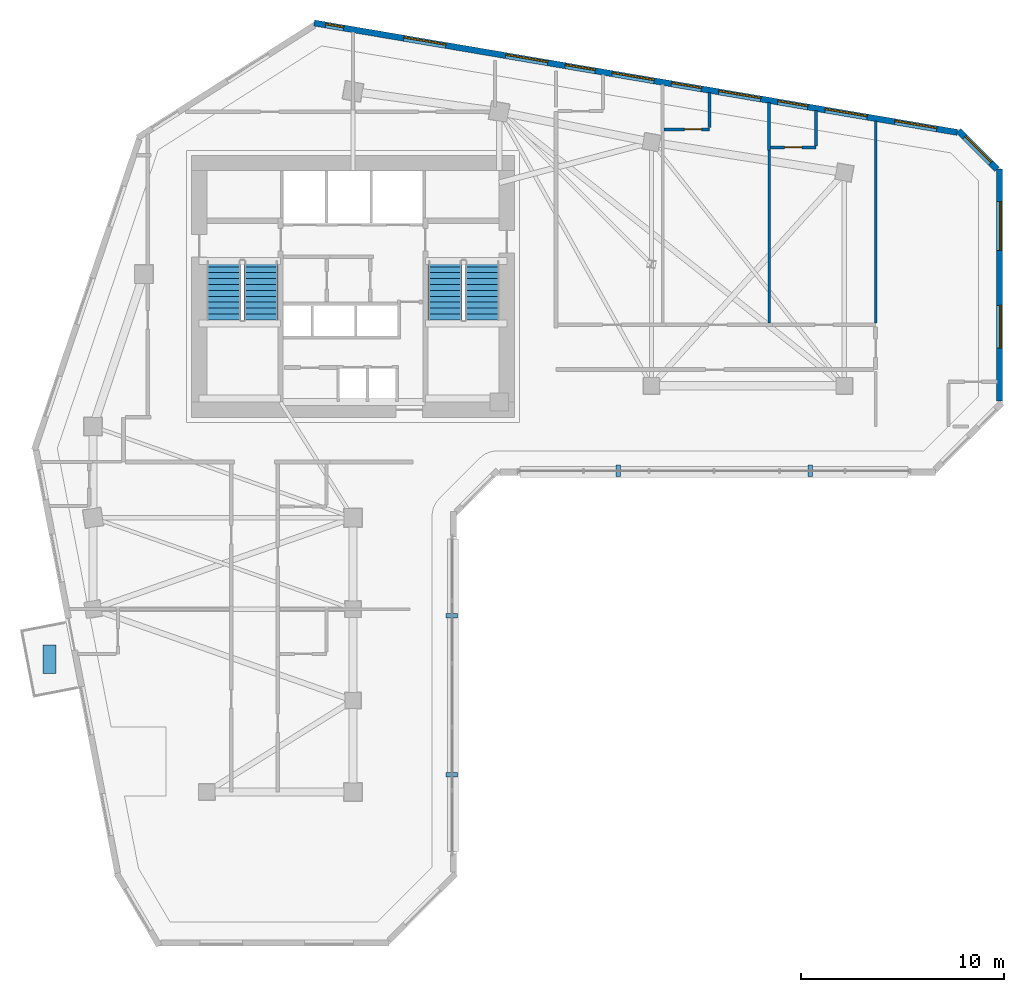
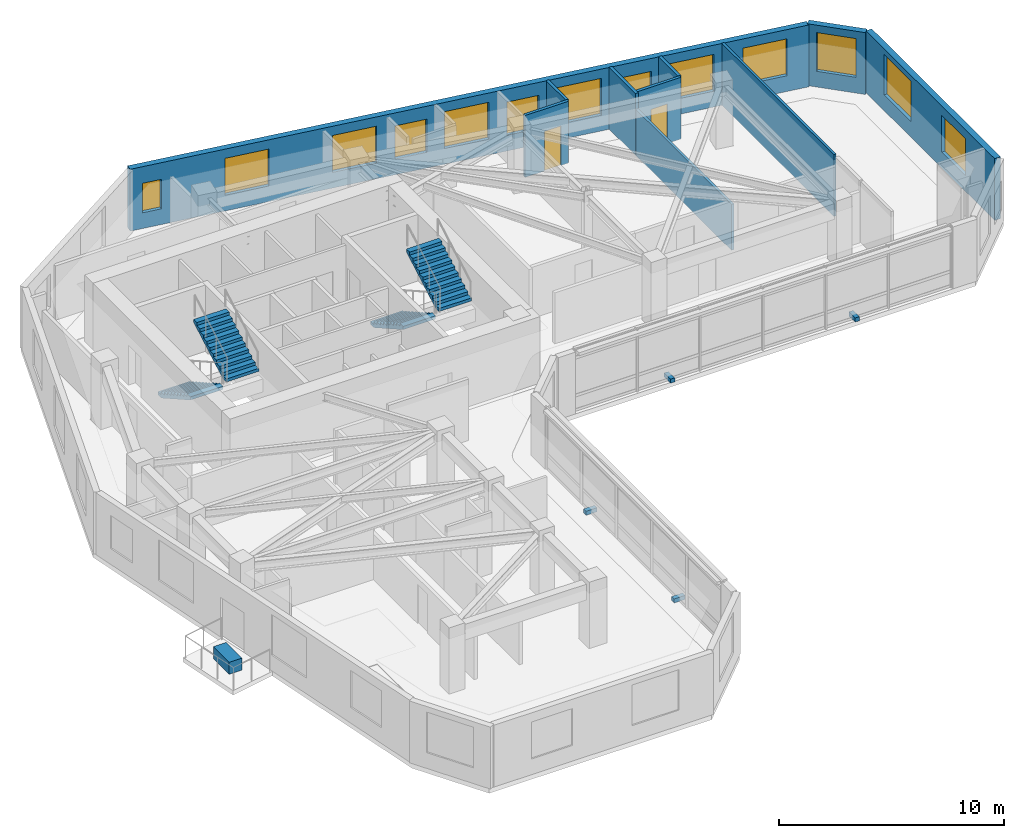
# One storey, part 8 of 11: 13 windows, 10 walls, 5 discrete accessories, 4 stair flights, 2 doors, 15 openings, 2 elements without a shape of their own.
"""IFC4 building model written with IfcOpenShell, lengths in metres."""

import ifcopenshell
import ifcopenshell.guid

model = None  # the IFC model being written
_history = None  # IfcOwnerHistory: only IFC2X3 demands one
_inside = {}  # id of a spatial element -> (the spatial element, [elements in it])
_under = {}  # id of a project, library or spatial element -> (it, [spatial elements below it])
_declared = {}  # id of a project -> (the project, [libraries it declares])
_typed = {}  # id of a type object -> (the type object, [elements of that type])
_made_of = {}  # id of a material, layer set ... -> (it, [elements and type objects made of it])


def new_model(schema):
    """Start an empty IFC model of exactly this schema.

    Asked for "IFC4X3", IfcOpenShell would pick the latest addendum, in which some entities
    have other attributes; the version numbers below select the first issue.
    IFC2X3 requires an IfcOwnerHistory on every rooted entity: one is made here for all.
    """
    global model, _history
    if schema == "IFC4X3":
        model = ifcopenshell.file(schema_version=(4, 3, 0, 0))
    else:
        model = ifcopenshell.file(schema=schema)
    _inside.clear()
    _under.clear()
    _declared.clear()
    _typed.clear()
    _made_of.clear()
    _history = None
    if model.schema == "IFC2X3":
        org = make("IfcOrganization", Name="unknown")
        user = make(
            "IfcPersonAndOrganization",
            ThePerson=make("IfcPerson", FamilyName="unknown"),
            TheOrganization=org,
        )
        app = make(
            "IfcApplication",
            ApplicationDeveloper=org,
            Version="unknown",
            ApplicationFullName="unknown",
            ApplicationIdentifier="unknown",
        )
        _history = make(
            "IfcOwnerHistory",
            OwningUser=user,
            OwningApplication=app,
            ChangeAction="ADDED",
            CreationDate=0,
        )
    return model


def make(cls, **values):
    """One entity of the class cls with the attributes given. An attribute that is None is left unset."""
    return model.create_entity(
        cls, **{name: value for name, value in values.items() if value is not None}
    )


def rooted(cls, **values):
    """An entity with a GlobalId (a new one), such as an element, a storey or a relation."""
    return make(cls, GlobalId=ifcopenshell.guid.new(), OwnerHistory=_history, **values)


def si_unit(unit_type, name, prefix=None):
    """IfcSIUnit, for example si_unit("LENGTHUNIT", "METRE", prefix="MILLI")."""
    return make("IfcSIUnit", UnitType=unit_type, Prefix=prefix, Name=name)


def assignment(units):
    """IfcUnitAssignment: the units of a project."""
    return None if units is None else make("IfcUnitAssignment", Units=units)


def point(xyz):
    """IfcCartesianPoint."""
    return None if xyz is None else make("IfcCartesianPoint", Coordinates=xyz)


def direction(xyz):
    """IfcDirection."""
    return None if xyz is None else make("IfcDirection", DirectionRatios=xyz)


def frame(location, z_axis=None, x_axis=None):
    """IfcAxis2Placement3D, a coordinate frame: its origin and axes. An axis left out is left unset."""
    return make(
        "IfcAxis2Placement3D",
        Location=point(location),
        Axis=direction(z_axis),
        RefDirection=direction(x_axis),
    )


def frame_2d(location, x_axis=None):
    """IfcAxis2Placement2D, a coordinate frame in the plane: its origin and x axis."""
    return make(
        "IfcAxis2Placement2D", Location=point(location), RefDirection=direction(x_axis)
    )


def origin():
    """The frame at (0, 0, 0) with its axes left unset."""
    return frame((0.0, 0.0, 0.0))


def origin_2d():
    """The frame at (0, 0) in the plane with its x axis left unset."""
    return frame_2d((0.0, 0.0))


def place(relative_to, where):
    """IfcLocalPlacement: puts the frame where relative to a parent placement (None: the world)."""
    return make(
        "IfcLocalPlacement", PlacementRelTo=relative_to, RelativePlacement=where
    )


def context(
    kind, dimensions, precision=None, world=None, true_north=None, identifier=None
):
    """IfcGeometricRepresentationContext, for example the 3D "Model" context."""
    return make(
        "IfcGeometricRepresentationContext",
        ContextIdentifier=identifier,
        ContextType=kind,
        CoordinateSpaceDimension=dimensions,
        Precision=precision,
        WorldCoordinateSystem=world,
        TrueNorth=true_north,
    )


def subcontext(parent, identifier, kind, view, scale=None):
    """IfcGeometricRepresentationSubContext, for example "Body" below "Model"."""
    return make(
        "IfcGeometricRepresentationSubContext",
        ContextIdentifier=identifier,
        ContextType=kind,
        ParentContext=parent,
        TargetScale=scale,
        TargetView=view,
    )


def project(units=None, contexts=None):
    """IfcProject with its units and contexts."""
    return rooted(
        "IfcProject",
        Name="project",
        RepresentationContexts=contexts,
        UnitsInContext=assignment(units),
    )


def spatial(cls, under=None, at=None, **own):
    """A site, building, storey or space (cls), placed at a placement, below another one or the project."""
    s = rooted(cls, ObjectPlacement=at, **own)
    if under is not None:
        _under.setdefault(under.id(), (under, []))[1].append(s)
    return s


def polyline(points):
    """IfcPolyline through the points."""
    return make("IfcPolyline", Points=[point(p) for p in points])


def profile(cls, at=None, kind="AREA", **sizes):
    """A parametric profile (cls). Its sizes go by their IFC names, for example OverallWidth=200.0."""
    return make(cls, ProfileType=kind, Position=at, **sizes)


def rectangle(**sizes):
    """IfcRectangleProfileDef."""
    return profile("IfcRectangleProfileDef", **sizes)


def outline(outer, holes=None, kind="AREA"):
    """IfcArbitraryClosedProfileDef: a profile drawn as a closed curve; with holes, ...WithVoids."""
    if holes is None:
        return make("IfcArbitraryClosedProfileDef", ProfileType=kind, OuterCurve=outer)
    return make(
        "IfcArbitraryProfileDefWithVoids",
        ProfileType=kind,
        OuterCurve=outer,
        InnerCurves=holes,
    )


def extrude(swept, where, along, depth):
    """IfcExtrudedAreaSolid: the profile swept, set in the frame where, extruded along a direction by depth."""
    return make(
        "IfcExtrudedAreaSolid",
        SweptArea=swept,
        Position=where,
        ExtrudedDirection=direction(along),
        Depth=depth,
    )


def shape(context_of_items, identifier, shape_type, items):
    """IfcShapeRepresentation: the items that make up one representation, for example the "Body"."""
    return make(
        "IfcShapeRepresentation",
        ContextOfItems=context_of_items,
        RepresentationIdentifier=identifier,
        RepresentationType=shape_type,
        Items=items,
    )


def source(mapping_origin, context_of_items, identifier, shape_type, items):
    """IfcRepresentationMap: a shape defined once, which mapped items show again and again."""
    return make(
        "IfcRepresentationMap",
        MappingOrigin=mapping_origin,
        MappedRepresentation=shape(context_of_items, identifier, shape_type, items),
    )


def transform(
    local_origin,
    x_axis=None,
    y_axis=None,
    z_axis=None,
    scale=None,
    scale2=None,
    scale3=None,
    uniform=True,
):
    """IfcCartesianTransformationOperator3D, or its non-uniform kind. x_axis, y_axis, z_axis: its Axis1, 2, 3."""
    if uniform:
        return make(
            "IfcCartesianTransformationOperator3D",
            Axis1=direction(x_axis),
            Axis2=direction(y_axis),
            LocalOrigin=point(local_origin),
            Scale=scale,
            Axis3=direction(z_axis),
        )
    return make(
        "IfcCartesianTransformationOperator3DnonUniform",
        Axis1=direction(x_axis),
        Axis2=direction(y_axis),
        LocalOrigin=point(local_origin),
        Scale=scale,
        Axis3=direction(z_axis),
        Scale2=scale2,
        Scale3=scale3,
    )


def mapped(mapping_source, mapping_target):
    """IfcMappedItem: shows the shape of a source again, moved by a transform."""
    return make(
        "IfcMappedItem", MappingSource=mapping_source, MappingTarget=mapping_target
    )


def material(Name=None, Category=None):
    """IfcMaterial."""
    return make("IfcMaterial", Name=Name, Category=Category)


def layer(
    of_material, thickness, ventilated=None, Name=None, Category=None, Priority=None
):
    """IfcMaterialLayer: one layer of a wall or slab, of a material (None: an air gap)."""
    return make(
        "IfcMaterialLayer",
        Material=of_material,
        LayerThickness=thickness,
        IsVentilated=ventilated,
        Name=Name,
        Category=Category,
        Priority=Priority,
    )


def layer_set(layers, Name=None):
    """IfcMaterialLayerSet."""
    return make("IfcMaterialLayerSet", MaterialLayers=layers, LayerSetName=Name)


def made_of(thing, what):
    """Note that an element or type object is made of a material, layer set ...; save() writes the relation."""
    if what is not None:
        _made_of.setdefault(what.id(), (what, []))[1].append(thing)
    return thing


def type_object(cls, material=None, **own):
    """A type object (cls), such as IfcWallType, which elements share."""
    return made_of(rooted(cls, **own), material)


def element(
    cls,
    number,
    at=None,
    inside=None,
    cuts=None,
    type_object=None,
    material=None,
    context=None,
    identifier="Body",
    shape_type=None,
    held_by="IfcProductDefinitionShape",
    body=None,
    shapes=None,
    **own,
):
    """One element of the class cls, such as IfcWall. Its Tag is "e" and its number.

    at: its placement. inside: the storey or other place that contains it. cuts: it is an
    opening in that element (IfcRelVoidsElement). A single representation is given by context,
    identifier, shape_type and body (its items); several are given by shapes. held_by: the class
    of the entity that holds the representations. save() writes the other relations.
    """
    e = rooted(cls, Tag="e%d" % number, ObjectPlacement=at, **own)
    if body is not None:
        shapes = [shape(context, identifier, shape_type, body)]
    if shapes is not None:
        e.Representation = make(held_by, Representations=shapes)
    if inside is not None:
        _inside.setdefault(inside.id(), (inside, []))[1].append(e)
    if cuts is not None:
        rooted(
            "IfcRelVoidsElement", RelatingBuildingElement=cuts, RelatedOpeningElement=e
        )
    if type_object is not None:
        _typed.setdefault(type_object.id(), (type_object, []))[1].append(e)
    return made_of(e, material)


def fill(opening, filler):
    """IfcRelFillsElement: the door or window that sits in an opening."""
    return rooted(
        "IfcRelFillsElement",
        RelatingOpeningElement=opening,
        RelatedBuildingElement=filler,
    )


def aggregate(whole, parts):
    """IfcRelAggregates: a whole, such as a stair, and the parts it consists of."""
    return rooted("IfcRelAggregates", RelatingObject=whole, RelatedObjects=parts)


def save(model, path):
    """Write the relations noted so far, then the file.

    IfcRelAggregates (storeys below a building ...), IfcRelContainedInSpatialStructure (elements
    in a storey), IfcRelDefinesByType, IfcRelAssociatesMaterial and IfcRelDeclares: one each for
    every whole, place, type object, material and project.
    """
    for whole, parts in _under.values():
        aggregate(whole, parts)
    for where, things in _inside.values():
        rooted(
            "IfcRelContainedInSpatialStructure",
            RelatedElements=things,
            RelatingStructure=where,
        )
    for kind, things in _typed.values():
        rooted("IfcRelDefinesByType", RelatedObjects=things, RelatingType=kind)
    for what, things in _made_of.values():
        rooted("IfcRelAssociatesMaterial", RelatedObjects=things, RelatingMaterial=what)
    for by, libraries in _declared.values():
        rooted("IfcRelDeclares", RelatingContext=by, RelatedDefinitions=libraries)
    model.write(path)


model = new_model("IFC4")

# Units and contexts
model_context = context("Model", 3, precision=1e-05, world=origin(), true_north=direction((0.0, 1.0)))
body_context = subcontext(model_context, "Body", "Model", "MODEL_VIEW")
ifc_project = project(units=[si_unit("LENGTHUNIT", "METRE"), si_unit("AREAUNIT", "SQUARE_METRE"), si_unit("VOLUMEUNIT", "CUBIC_METRE"), si_unit("PLANEANGLEUNIT", "RADIAN"), si_unit("MASSUNIT", "GRAM", prefix="KILO")], contexts=[model_context])

# Site, building, storey
site_placement = place(None, origin())
site = spatial("IfcSite", under=ifc_project, at=site_placement, CompositionType="ELEMENT")
building_placement = place(site_placement, origin())
building = spatial("IfcBuilding", under=site, at=building_placement, Name="Calvemar Wedge Station Tower", CompositionType="ELEMENT")
storey_placement = place(building_placement, frame((0.0, 0.0, 114.199951171875)))
storey = spatial("IfcBuildingStorey", under=building, at=storey_placement, Name="L27", CompositionType="ELEMENT", Elevation=114.199951171875)

# Wall, openings, windows
ifc_material_1 = material(Name="Precast concrete C45", Category="concrete")
ifc_layer_1 = layer(ifc_material_1, 0.300048828125)
ifc_layer_set_1 = layer_set([ifc_layer_1], Name="Precast concrete C45")
wall_type_1 = type_object("IfcWallType", Name="W-EXT-GFRC-300", PredefinedType="SOLIDWALL", material=ifc_layer_set_1)
wall_1_placement = place(storey_placement, frame((55.64990234375, 34.249267578125, 0.0), z_axis=(0.0, 0.0, 1.0), x_axis=(0.0, 1.0, 0.0)))
wall_1 = element("IfcWall", 1, at=wall_1_placement, inside=storey, type_object=wall_type_1, Name="Storey L27 Bronze GFRC Exterior Wall 8", PredefinedType="SOLIDWALL", context=body_context, shape_type="SweptSolid", body=[
    extrude(rectangle(XDim=11.4306640625, YDim=0.300048828125, at=frame_2d((5.71533203125, 0.0))), origin(), (0.0, 0.0, 1.0), 3.35009765625),
])
shared_shape_1 = source(origin(), body_context, "Body", "SweptSolid", [
    extrude(rectangle(XDim=2.10009765625, YDim=2.0, at=frame_2d((1.050048828125, 1.0))), frame((0.0, 0.16015625, 0.0), z_axis=(0.0, -1.0, 0.0), x_axis=(1.0, 0.0, 0.0)), (0.0, 0.0, 1.0), 0.320068359375),
])
opening_1_placement = place(wall_1_placement, frame((2.60595703125, 0.0, 0.85009765625)))
opening_1 = element("IfcOpeningElement", 2, at=opening_1_placement, cuts=wall_1, Name="Opening W4", PredefinedType="OPENING", context=body_context, shape_type="MappedRepresentation", body=[
    mapped(shared_shape_1, transform((0.0, 0.0, 0.0), scale=1.0)),
])
shared_shape_2 = source(origin(), body_context, "Body", "SweptSolid", [
    extrude(rectangle(XDim=2.39990234375, YDim=2.199951171875, at=frame_2d((1.199951171875, 1.10009765625))), frame((0.0, 0.16015625, 0.0), z_axis=(0.0, -1.0, 0.0), x_axis=(1.0, 0.0, 0.0)), (0.0, 0.0, 1.0), 0.320068359375),
])
opening_2_placement = place(wall_1_placement, frame((7.426025390625, 0.0, 0.85009765625)))
opening_2 = element("IfcOpeningElement", 3, at=opening_2_placement, cuts=wall_1, Name="Opening W1", PredefinedType="OPENING", context=body_context, shape_type="MappedRepresentation", body=[
    mapped(shared_shape_2, transform((0.0, 0.0, 0.0), scale=1.0)),
])
ifc_material_2 = material(Name="Low-E laminated insulated glass", Category="glass")
window_type_1 = type_object("IfcWindowType", Name="WIN-EXT-4", PartitioningType="SINGLE_PANEL", PredefinedType="WINDOW", material=ifc_material_2)
shared_shape_3 = source(origin(), body_context, "Body", "SweptSolid", [
    extrude(rectangle(XDim=2.10009765625, YDim=2.0, at=frame_2d((1.050048828125, 1.0))), frame((0.0, -0.014892578125, 0.0), z_axis=(0.0, -1.0, 0.0), x_axis=(1.0, 0.0, 0.0)), (0.0, 0.0, 1.0), 0.06005859375),
])
window_1_placement = place(opening_1_placement, origin())
window_1 = element("IfcWindow", 4, at=window_1_placement, inside=storey, type_object=window_type_1, Name="Storey L27 Recessed Window 8.1", OverallHeight=2.0, OverallWidth=2.10009765625, PartitioningType="SINGLE_PANEL", PredefinedType="WINDOW", context=body_context, shape_type="MappedRepresentation", body=[
    mapped(shared_shape_3, transform((0.0, 0.0, 0.0), scale=1.0)),
])
fill(opening_1, window_1)
window_type_2 = type_object("IfcWindowType", Name="WIN-EXT-1", PartitioningType="SINGLE_PANEL", PredefinedType="WINDOW", material=ifc_material_2)
shared_shape_4 = source(origin(), body_context, "Body", "SweptSolid", [
    extrude(rectangle(XDim=2.39990234375, YDim=2.199951171875, at=frame_2d((1.199951171875, 1.10009765625))), frame((0.0, -0.014892578125, 0.0), z_axis=(0.0, -1.0, 0.0), x_axis=(1.0, 0.0, 0.0)), (0.0, 0.0, 1.0), 0.06005859375),
])
window_2_placement = place(opening_2_placement, origin())
window_2 = element("IfcWindow", 5, at=window_2_placement, inside=storey, type_object=window_type_2, Name="Storey L27 Recessed Window 8.2", OverallHeight=2.199951171875, OverallWidth=2.39990234375, PartitioningType="SINGLE_PANEL", PredefinedType="WINDOW", context=body_context, shape_type="MappedRepresentation", body=[
    mapped(shared_shape_4, transform((0.0, 0.0, 0.0), scale=1.0)),
])
fill(opening_2, window_2)

# Wall, opening, window
wall_2_placement = place(storey_placement, frame((55.511962890625, 45.66796875, 0.0), z_axis=(0.0, 0.0, 1.0), x_axis=(-0.707152443695, 0.707061115729, 0.0)))
wall_2 = element("IfcWall", 6, at=wall_2_placement, inside=storey, type_object=wall_type_1, Name="Storey L27 Bronze GFRC Exterior Wall 9", PredefinedType="SOLIDWALL", context=body_context, shape_type="SweptSolid", body=[
    extrude(rectangle(XDim=2.67333984375, YDim=0.300048828125, at=frame_2d((1.336669921875, 0.0))), origin(), (0.0, 0.0, 1.0), 3.35009765625),
])
shared_shape_5 = source(origin(), body_context, "Body", "SweptSolid", [
    extrude(rectangle(XDim=1.800048828125, YDim=2.10009765625, at=frame_2d((0.89990234375, 1.050048828125))), frame((0.0, 0.16015625, 0.0), z_axis=(0.0, -1.0, 0.0), x_axis=(1.0, 0.0, 0.0)), (0.0, 0.0, 1.0), 0.320068359375),
])
opening_3_placement = place(wall_2_placement, frame((0.43701171875, 0.0, 0.85009765625)))
opening_3 = element("IfcOpeningElement", 7, at=opening_3_placement, cuts=wall_2, Name="Opening W2", PredefinedType="OPENING", context=body_context, shape_type="MappedRepresentation", body=[
    mapped(shared_shape_5, transform((0.0, 0.0, 0.0), scale=1.0)),
])
window_type_3 = type_object("IfcWindowType", Name="WIN-EXT-2", PartitioningType="SINGLE_PANEL", PredefinedType="WINDOW", material=ifc_material_2)
shared_shape_6 = source(origin(), body_context, "Body", "SweptSolid", [
    extrude(rectangle(XDim=1.800048828125, YDim=2.10009765625, at=frame_2d((0.89990234375, 1.050048828125))), frame((0.0, -0.014892578125, 0.0), z_axis=(0.0, -1.0, 0.0), x_axis=(1.0, 0.0, 0.0)), (0.0, 0.0, 1.0), 0.06005859375),
])
window_3_placement = place(opening_3_placement, origin())
window_3 = element("IfcWindow", 8, at=window_3_placement, inside=storey, type_object=window_type_3, Name="Storey L27 Recessed Window 9.1", OverallHeight=2.10009765625, OverallWidth=1.800048828125, PartitioningType="SINGLE_PANEL", PredefinedType="WINDOW", context=body_context, shape_type="MappedRepresentation", body=[
    mapped(shared_shape_6, transform((0.0, 0.0, 0.0), scale=1.0)),
])
fill(opening_3, window_3)

# Wall, openings, windows
wall_3_placement = place(storey_placement, frame((53.56103515625, 47.48046875, 0.0), z_axis=(0.0, 0.0, 1.0), x_axis=(-0.985845173895, 0.167658262868, 0.0)))
wall_3 = element("IfcWall", 9, at=wall_3_placement, inside=storey, type_object=wall_type_1, Name="Storey L27 Bronze GFRC Exterior Wall 10", PredefinedType="SOLIDWALL", context=body_context, shape_type="SweptSolid", body=[
    extrude(rectangle(XDim=32.132080078125, YDim=0.300048828125, at=frame_2d((16.06591796875, 0.0))), origin(), (0.0, 0.0, 1.0), 3.35009765625),
])
opening_4_placement = place(wall_3_placement, frame((1.031982421875, 0.0, 0.85009765625)))
opening_4 = element("IfcOpeningElement", 10, at=opening_4_placement, cuts=wall_3, Name="Opening W4", PredefinedType="OPENING", context=body_context, shape_type="MappedRepresentation", body=[
    mapped(shared_shape_1, transform((0.0, 0.0, 0.0), scale=1.0)),
])
opening_5_placement = place(wall_3_placement, frame((4.50390625, 0.0, 0.85009765625)))
opening_5 = element("IfcOpeningElement", 11, at=opening_5_placement, cuts=wall_3, Name="Opening W4", PredefinedType="OPENING", context=body_context, shape_type="MappedRepresentation", body=[
    mapped(shared_shape_1, transform((0.0, 0.0, 0.0), scale=1.0)),
])
shared_shape_7 = source(origin(), body_context, "Body", "SweptSolid", [
    extrude(rectangle(XDim=1.5, YDim=1.800048828125, at=frame_2d((0.75, 0.89990234375))), frame((0.0, 0.16015625, 0.0), z_axis=(0.0, -1.0, 0.0), x_axis=(1.0, 0.0, 0.0)), (0.0, 0.0, 1.0), 0.320068359375),
])
opening_6_placement = place(wall_3_placement, frame((7.464111328125, 0.0, 0.85009765625)))
opening_6 = element("IfcOpeningElement", 12, at=opening_6_placement, cuts=wall_3, Name="Opening W3", PredefinedType="OPENING", context=body_context, shape_type="MappedRepresentation", body=[
    mapped(shared_shape_7, transform((0.0, 0.0, 0.0), scale=1.0)),
])
opening_7_placement = place(wall_3_placement, frame((9.823974609375, 0.0, 0.85009765625)))
opening_7 = element("IfcOpeningElement", 13, at=opening_7_placement, cuts=wall_3, Name="Opening W4", PredefinedType="OPENING", context=body_context, shape_type="MappedRepresentation", body=[
    mapped(shared_shape_1, transform((0.0, 0.0, 0.0), scale=1.0)),
])
opening_8_placement = place(wall_3_placement, frame((12.783935546875, 0.0, 0.85009765625)))
opening_8 = element("IfcOpeningElement", 14, at=opening_8_placement, cuts=wall_3, Name="Opening W3", PredefinedType="OPENING", context=body_context, shape_type="MappedRepresentation", body=[
    mapped(shared_shape_7, transform((0.0, 0.0, 0.0), scale=1.0)),
])
opening_9_placement = place(wall_3_placement, frame((15.14404296875, 0.0, 0.85009765625)))
opening_9 = element("IfcOpeningElement", 15, at=opening_9_placement, cuts=wall_3, Name="Opening W4", PredefinedType="OPENING", context=body_context, shape_type="MappedRepresentation", body=[
    mapped(shared_shape_1, transform((0.0, 0.0, 0.0), scale=1.0)),
])
opening_10_placement = place(wall_3_placement, frame((18.0859375, 0.0, 0.85009765625)))
opening_10 = element("IfcOpeningElement", 16, at=opening_10_placement, cuts=wall_3, Name="Opening W3", PredefinedType="OPENING", context=body_context, shape_type="MappedRepresentation", body=[
    mapped(shared_shape_7, transform((0.0, 0.0, 0.0), scale=1.0)),
])
opening_11_placement = place(wall_3_placement, frame((20.458984375, 0.0, 0.85009765625)))
opening_11 = element("IfcOpeningElement", 17, at=opening_11_placement, cuts=wall_3, Name="Opening W4", PredefinedType="OPENING", context=body_context, shape_type="MappedRepresentation", body=[
    mapped(shared_shape_1, transform((0.0, 0.0, 0.0), scale=1.0)),
])
opening_12_placement = place(wall_3_placement, frame((25.550048828125, 0.0, 0.85009765625)))
opening_12 = element("IfcOpeningElement", 18, at=opening_12_placement, cuts=wall_3, Name="Opening W4", PredefinedType="OPENING", context=body_context, shape_type="MappedRepresentation", body=[
    mapped(shared_shape_1, transform((0.0, 0.0, 0.0), scale=1.0)),
])
shared_shape_8 = source(origin(), body_context, "Body", "SweptSolid", [
    extrude(rectangle(XDim=0.89990234375, YDim=1.60009765625, at=frame_2d((0.449951171875, 0.800048828125))), frame((0.0, 0.16015625, 0.0), z_axis=(0.0, -1.0, 0.0), x_axis=(1.0, 0.0, 0.0)), (0.0, 0.0, 1.0), 0.320068359375),
])
opening_13_placement = place(wall_3_placement, frame((30.64990234375, 0.0, 0.85009765625)))
opening_13 = element("IfcOpeningElement", 19, at=opening_13_placement, cuts=wall_3, Name="Opening W7", PredefinedType="OPENING", context=body_context, shape_type="MappedRepresentation", body=[
    mapped(shared_shape_8, transform((0.0, 0.0, 0.0), scale=1.0)),
])
window_4_placement = place(opening_4_placement, origin())
window_4 = element("IfcWindow", 20, at=window_4_placement, inside=storey, type_object=window_type_1, Name="Storey L27 Recessed Window 10.1", OverallHeight=2.0, OverallWidth=2.10009765625, PartitioningType="SINGLE_PANEL", PredefinedType="WINDOW", context=body_context, shape_type="MappedRepresentation", body=[
    mapped(shared_shape_3, transform((0.0, 0.0, 0.0), scale=1.0)),
])
fill(opening_4, window_4)
window_5_placement = place(opening_5_placement, origin())
window_5 = element("IfcWindow", 21, at=window_5_placement, inside=storey, type_object=window_type_1, Name="Storey L27 Recessed Window 10.2", OverallHeight=2.0, OverallWidth=2.10009765625, PartitioningType="SINGLE_PANEL", PredefinedType="WINDOW", context=body_context, shape_type="MappedRepresentation", body=[
    mapped(shared_shape_3, transform((0.0, 0.0, 0.0), scale=1.0)),
])
fill(opening_5, window_5)
window_6_placement = place(opening_7_placement, origin())
window_6 = element("IfcWindow", 22, at=window_6_placement, inside=storey, type_object=window_type_1, Name="Storey L27 Recessed Window 10.4", OverallHeight=2.0, OverallWidth=2.10009765625, PartitioningType="SINGLE_PANEL", PredefinedType="WINDOW", context=body_context, shape_type="MappedRepresentation", body=[
    mapped(shared_shape_3, transform((0.0, 0.0, 0.0), scale=1.0)),
])
fill(opening_7, window_6)
window_7_placement = place(opening_9_placement, origin())
window_7 = element("IfcWindow", 23, at=window_7_placement, inside=storey, type_object=window_type_1, Name="Storey L27 Recessed Window 10.6", OverallHeight=2.0, OverallWidth=2.10009765625, PartitioningType="SINGLE_PANEL", PredefinedType="WINDOW", context=body_context, shape_type="MappedRepresentation", body=[
    mapped(shared_shape_3, transform((0.0, 0.0, 0.0), scale=1.0)),
])
fill(opening_9, window_7)
window_8_placement = place(opening_11_placement, origin())
window_8 = element("IfcWindow", 24, at=window_8_placement, inside=storey, type_object=window_type_1, Name="Storey L27 Recessed Window 10.8", OverallHeight=2.0, OverallWidth=2.10009765625, PartitioningType="SINGLE_PANEL", PredefinedType="WINDOW", context=body_context, shape_type="MappedRepresentation", body=[
    mapped(shared_shape_3, transform((0.0, 0.0, 0.0), scale=1.0)),
])
fill(opening_11, window_8)
window_9_placement = place(opening_12_placement, origin())
window_9 = element("IfcWindow", 25, at=window_9_placement, inside=storey, type_object=window_type_1, Name="Storey L27 Recessed Window 10.9", OverallHeight=2.0, OverallWidth=2.10009765625, PartitioningType="SINGLE_PANEL", PredefinedType="WINDOW", context=body_context, shape_type="MappedRepresentation", body=[
    mapped(shared_shape_3, transform((0.0, 0.0, 0.0), scale=1.0)),
])
fill(opening_12, window_9)
window_type_4 = type_object("IfcWindowType", Name="WIN-EXT-3", PartitioningType="SINGLE_PANEL", PredefinedType="WINDOW", material=ifc_material_2)
shared_shape_9 = source(origin(), body_context, "Body", "SweptSolid", [
    extrude(rectangle(XDim=1.5, YDim=1.800048828125, at=frame_2d((0.75, 0.89990234375))), frame((0.0, -0.014892578125, 0.0), z_axis=(0.0, -1.0, 0.0), x_axis=(1.0, 0.0, 0.0)), (0.0, 0.0, 1.0), 0.06005859375),
])
window_10_placement = place(opening_6_placement, origin())
window_10 = element("IfcWindow", 26, at=window_10_placement, inside=storey, type_object=window_type_4, Name="Storey L27 Recessed Window 10.3", OverallHeight=1.800048828125, OverallWidth=1.5, PartitioningType="SINGLE_PANEL", PredefinedType="WINDOW", context=body_context, shape_type="MappedRepresentation", body=[
    mapped(shared_shape_9, transform((0.0, 0.0, 0.0), scale=1.0)),
])
fill(opening_6, window_10)
window_11_placement = place(opening_8_placement, origin())
window_11 = element("IfcWindow", 27, at=window_11_placement, inside=storey, type_object=window_type_4, Name="Storey L27 Recessed Window 10.5", OverallHeight=1.800048828125, OverallWidth=1.5, PartitioningType="SINGLE_PANEL", PredefinedType="WINDOW", context=body_context, shape_type="MappedRepresentation", body=[
    mapped(shared_shape_9, transform((0.0, 0.0, 0.0), scale=1.0)),
])
fill(opening_8, window_11)
window_12_placement = place(opening_10_placement, origin())
window_12 = element("IfcWindow", 28, at=window_12_placement, inside=storey, type_object=window_type_4, Name="Storey L27 Recessed Window 10.7", OverallHeight=1.800048828125, OverallWidth=1.5, PartitioningType="SINGLE_PANEL", PredefinedType="WINDOW", context=body_context, shape_type="MappedRepresentation", body=[
    mapped(shared_shape_9, transform((0.0, 0.0, 0.0), scale=1.0)),
])
fill(opening_10, window_12)
window_type_5 = type_object("IfcWindowType", Name="WIN-EXT-7", PartitioningType="SINGLE_PANEL", PredefinedType="WINDOW", material=ifc_material_2)
shared_shape_10 = source(origin(), body_context, "Body", "SweptSolid", [
    extrude(rectangle(XDim=0.89990234375, YDim=1.60009765625, at=frame_2d((0.449951171875, 0.800048828125))), frame((0.0, -0.014892578125, 0.0), z_axis=(0.0, -1.0, 0.0), x_axis=(1.0, 0.0, 0.0)), (0.0, 0.0, 1.0), 0.06005859375),
])
window_13_placement = place(opening_13_placement, origin())
window_13 = element("IfcWindow", 29, at=window_13_placement, inside=storey, type_object=window_type_5, Name="Storey L27 Recessed Window 10.10", OverallHeight=1.60009765625, OverallWidth=0.89990234375, PartitioningType="SINGLE_PANEL", PredefinedType="WINDOW", context=body_context, shape_type="MappedRepresentation", body=[
    mapped(shared_shape_10, transform((0.0, 0.0, 0.0), scale=1.0)),
])
fill(opening_13, window_13)

# Walls
ifc_material_3 = material(Name="Insulated acoustic gypsum stud partition")
ifc_layer_2 = layer(ifc_material_3, 0.125)
ifc_layer_set_2 = layer_set([ifc_layer_2], Name="Insulated acoustic gypsum stud partition")
wall_type_2 = type_object("IfcWallType", Name="W-PART-125", PredefinedType="PARTITIONING", material=ifc_layer_set_2)
wall_4_placement = place(storey_placement, frame((44.2900390625, 46.57861328125, 0.0), z_axis=(0.0, 0.0, 1.0), x_axis=(0.0, -1.0, 0.0)))
element("IfcWall", 30, at=wall_4_placement, inside=storey, type_object=wall_type_2, Name="Storey L27 Interior Partition WL-L27-033", PredefinedType="PARTITIONING", context=body_context, shape_type="SweptSolid", body=[
    extrude(rectangle(XDim=8.484619140625, YDim=0.125, at=frame_2d((4.2421875, 0.0))), origin(), (0.0, 0.0, 1.0), 2.491943359375),
])
wall_5_placement = place(storey_placement, frame((49.534912109375, 48.048583984375, 0.0), z_axis=(0.0, 0.0, 1.0), x_axis=(0.0, -1.0, 0.0)))
element("IfcWall", 31, at=wall_5_placement, inside=storey, type_object=wall_type_2, Name="Storey L27 Interior Partition WL-L27-036", PredefinedType="PARTITIONING", context=body_context, shape_type="SweptSolid", body=[
    extrude(rectangle(XDim=9.95458984375, YDim=0.125, at=frame_2d((4.977294921875, 0.0))), origin(), (0.0, 0.0, 1.0), 3.35009765625),
])

# Wall, opening, door
ifc_material_4 = material(Name="Moisture-resistant acoustic bathroom partition")
ifc_layer_3 = layer(ifc_material_4, 0.14990234375)
ifc_layer_set_3 = layer_set([ifc_layer_3], Name="Moisture-resistant acoustic bathroom partition")
wall_type_3 = type_object("IfcWallType", Name="W-WET-150", PredefinedType="PARTITIONING", material=ifc_layer_set_3)
wall_6_placement = place(storey_placement, frame((41.35302734375, 47.632568359375, 0.0), z_axis=(0.0, 0.0, 1.0), x_axis=(-1.0, 0.0, 0.0)))
wall_6 = element("IfcWall", 32, at=wall_6_placement, inside=storey, type_object=wall_type_3, Name="Storey L27 Interior Partition WL-L27-030", PredefinedType="PARTITIONING", context=body_context, shape_type="SweptSolid", body=[
    extrude(rectangle(XDim=2.22900390625, YDim=0.14990234375, at=frame_2d((1.114501953125, 0.0))), origin(), (0.0, 0.0, 1.0), 3.35009765625),
])
shared_shape_11 = source(origin(), body_context, "Body", "SweptSolid", [
    extrude(rectangle(XDim=0.85009765625, YDim=2.14990234375, at=frame_2d((0.425048828125, 1.074951171875))), frame((0.0, 0.0849609375, 0.0), z_axis=(0.0, -1.0, 0.0), x_axis=(1.0, 0.0, 0.0)), (0.0, 0.0, 1.0), 0.169921875),
])
opening_14_placement = place(wall_6_placement, frame((0.38232421875, 0.0, 0.0)))
opening_14 = element("IfcOpeningElement", 33, at=opening_14_placement, cuts=wall_6, Name="Opening D-02", PredefinedType="OPENING", context=body_context, shape_type="MappedRepresentation", body=[
    mapped(shared_shape_11, transform((0.0, 0.0, 0.0), scale=1.0)),
])
ifc_material_5 = material(Name="Moisture-sealed bathroom hardwood swing door", Category="wood")
door_type = type_object("IfcDoorType", Name="DR-WET-850", OperationType="NOTDEFINED", PredefinedType="DOOR", material=ifc_material_5)
shared_shape_12 = source(origin(), body_context, "Body", "SweptSolid", [
    extrude(rectangle(XDim=0.85009765625, YDim=2.14990234375, at=frame_2d((0.425048828125, 1.074951171875))), frame((0.0, 0.02490234375, 0.0), z_axis=(0.0, -1.0, 0.0), x_axis=(1.0, 0.0, 0.0)), (0.0, 0.0, 1.0), 0.050048828125),
])
door_1_placement = place(opening_14_placement, origin())
door_1 = element("IfcDoor", 34, at=door_1_placement, inside=storey, type_object=door_type, Name="L27 En-Suite Bathroom Door", OperationType="SINGLE_SWING_LEFT", OverallHeight=2.14990234375, OverallWidth=0.85009765625, PredefinedType="DOOR", context=body_context, shape_type="MappedRepresentation", body=[
    mapped(shared_shape_12, transform((0.0, 0.0, 0.0), scale=1.0)),
])
fill(opening_14, door_1)

# Walls
wall_7_placement = place(storey_placement, frame((41.35302734375, 49.43994140625, 0.0), z_axis=(0.0, 0.0, 1.0), x_axis=(0.0, -1.0, 0.0)))
element("IfcWall", 35, at=wall_7_placement, inside=storey, type_object=wall_type_3, Name="Storey L27 Interior Partition WL-L27-031", PredefinedType="PARTITIONING", context=body_context, shape_type="SweptSolid", body=[
    extrude(rectangle(XDim=1.728515625, YDim=0.14990234375, at=frame_2d((0.8642578125, 0.0))), origin(), (0.0, 0.0, 1.0), 3.35009765625),
])
wall_8_placement = place(storey_placement, frame((44.2900390625, 48.9404296875, 0.0), z_axis=(0.0, 0.0, 1.0), x_axis=(0.0, -1.0, 0.0)))
element("IfcWall", 36, at=wall_8_placement, inside=storey, type_object=wall_type_3, Name="Storey L27 Interior Partition WL-L27-032", PredefinedType="PARTITIONING", context=body_context, shape_type="SweptSolid", body=[
    extrude(rectangle(XDim=2.35986328125, YDim=0.14990234375, at=frame_2d((1.179931640625, 0.0))), origin(), (0.0, 0.0, 1.0), 3.35009765625),
])

# Wall, opening, door
wall_9_placement = place(storey_placement, frame((46.597900390625, 46.740478515625, 0.0), z_axis=(0.0, 0.0, 1.0), x_axis=(-1.0, 0.0, 0.0)))
wall_9 = element("IfcWall", 37, at=wall_9_placement, inside=storey, type_object=wall_type_3, Name="Storey L27 Interior Partition WL-L27-034", PredefinedType="PARTITIONING", context=body_context, shape_type="SweptSolid", body=[
    extrude(rectangle(XDim=2.22900390625, YDim=0.14990234375, at=frame_2d((1.114501953125, 0.0))), origin(), (0.0, 0.0, 1.0), 3.35009765625),
])
opening_15_placement = place(wall_9_placement, frame((0.689453125, 0.0, 0.0)))
opening_15 = element("IfcOpeningElement", 38, at=opening_15_placement, cuts=wall_9, Name="Opening D-02", PredefinedType="OPENING", context=body_context, shape_type="MappedRepresentation", body=[
    mapped(shared_shape_11, transform((0.0, 0.0, 0.0), scale=1.0)),
])
door_2_placement = place(opening_15_placement, origin())
door_2 = element("IfcDoor", 39, at=door_2_placement, inside=storey, type_object=door_type, Name="L27 En-Suite Bathroom Door", OperationType="SINGLE_SWING_LEFT", OverallHeight=2.14990234375, OverallWidth=0.85009765625, PredefinedType="DOOR", context=body_context, shape_type="MappedRepresentation", body=[
    mapped(shared_shape_12, transform((0.0, 0.0, 0.0), scale=1.0)),
])
fill(opening_15, door_2)

# Wall
wall_10_placement = place(storey_placement, frame((46.597900390625, 48.548095703125, 0.0), z_axis=(0.0, 0.0, 1.0), x_axis=(0.0, -1.0, 0.0)))
element("IfcWall", 40, at=wall_10_placement, inside=storey, type_object=wall_type_3, Name="Storey L27 Interior Partition WL-L27-035", PredefinedType="PARTITIONING", context=body_context, shape_type="SweptSolid", body=[
    extrude(rectangle(XDim=1.728515625, YDim=0.14990234375, at=frame_2d((0.8642578125, 0.0))), origin(), (0.0, 0.0, 1.0), 3.35009765625),
])

# Stair, stair flights
ifc_material_6 = material(Name="Concrete C45", Category="concrete")
stair_type = type_object("IfcStairType", Name="ST-TYPE-3600", PredefinedType="HALF_TURN_STAIR", material=ifc_material_6)
stair_1_placement = place(storey_placement, origin())
stair_1 = element("IfcStair", 41, at=stair_1_placement, inside=storey, type_object=stair_type, Name="L27 Pressurized Core Exit Stair ST-C1", PredefinedType="HALF_TURN_STAIR")
stair_flight_type = type_object("IfcStairFlightType", Name="STF-TYPE-3600", PredefinedType="STRAIGHT", material=ifc_material_6)
stair_flight_1_placement = place(storey_placement, frame((17.429931640625, 41.14990234375, 0.0), z_axis=(0.0, 0.0, 1.0), x_axis=(0.0, -1.0, 0.0)))
stair_flight_1 = element("IfcStairFlight", 42, at=stair_flight_1_placement, type_object=stair_flight_type, Name="ST-C1 flight 1", NumberOfRisers=11, NumberOfTreads=10, PredefinedType="STRAIGHT", RiserHeight=0.163636364, TreadLength=0.29, context=body_context, shape_type="SweptSolid", body=[
    extrude(outline(polyline([(0.0, 0.0), (0.0, 0.16357421875), (0.2900390625, 0.16357421875), (0.2900390625, 0.327392578125), (0.580078125, 0.327392578125), (0.580078125, 0.490966796875), (0.8701171875, 0.490966796875), (0.8701171875, 0.654541015625), (1.159912109375, 0.654541015625), (1.159912109375, 0.818115234375), (1.449951171875, 0.818115234375), (1.449951171875, 0.98193359375), (1.739990234375, 0.98193359375), (1.739990234375, 1.1455078125), (2.030029296875, 1.1455078125), (2.030029296875, 1.30908203125), (2.320068359375, 1.30908203125), (2.320068359375, 1.47265625), (2.610107421875, 1.47265625), (2.610107421875, 1.636474609375), (2.89990234375, 1.636474609375), (2.89990234375, 1.800048828125), (2.89990234375, 1.46435546875), (0.304931640625, 0.0), (0.0, 0.0)])), frame((0.0, 0.830078125, 0.0), z_axis=(0.0, -1.0, 0.0), x_axis=(1.0, 0.0, 0.0)), (0.0, 0.0, 1.0), 1.659912109375),
])
stair_flight_2_placement = place(storey_placement, frame((19.27001953125, 38.25, 1.800048828125), z_axis=(0.0, 0.0, 1.0), x_axis=(0.0, 1.0, 0.0)))
stair_flight_2 = element("IfcStairFlight", 43, at=stair_flight_2_placement, type_object=stair_flight_type, Name="ST-C1 flight 2", NumberOfRisers=11, NumberOfTreads=10, PredefinedType="STRAIGHT", RiserHeight=0.163636364, TreadLength=0.29, context=body_context, shape_type="SweptSolid", body=[
    extrude(outline(polyline([(0.0, 0.0), (0.0, 0.16357421875), (0.2900390625, 0.16357421875), (0.2900390625, 0.327392578125), (0.580078125, 0.327392578125), (0.580078125, 0.490966796875), (0.8701171875, 0.490966796875), (0.8701171875, 0.654541015625), (1.159912109375, 0.654541015625), (1.159912109375, 0.818115234375), (1.449951171875, 0.818115234375), (1.449951171875, 0.98193359375), (1.739990234375, 0.98193359375), (1.739990234375, 1.1455078125), (2.030029296875, 1.1455078125), (2.030029296875, 1.30908203125), (2.320068359375, 1.30908203125), (2.320068359375, 1.47265625), (2.610107421875, 1.47265625), (2.610107421875, 1.636474609375), (2.89990234375, 1.636474609375), (2.89990234375, 1.800048828125), (2.89990234375, 1.46435546875), (0.304931640625, 0.0), (0.0, 0.0)])), frame((0.0, 0.830078125, 0.0), z_axis=(0.0, -1.0, 0.0), x_axis=(1.0, 0.0, 0.0)), (0.0, 0.0, 1.0), 1.659912109375),
])
aggregate(stair_1, [stair_flight_1, stair_flight_2])

stair_2_placement = place(storey_placement, origin())
stair_2 = element("IfcStair", 44, at=stair_2_placement, inside=storey, type_object=stair_type, Name="L27 Pressurized Core Exit Stair ST-C2", PredefinedType="HALF_TURN_STAIR")
stair_flight_3_placement = place(storey_placement, frame((28.330078125, 41.14990234375, 0.0), z_axis=(0.0, 0.0, 1.0), x_axis=(0.0, -1.0, 0.0)))
stair_flight_3 = element("IfcStairFlight", 45, at=stair_flight_3_placement, type_object=stair_flight_type, Name="ST-C2 flight 1", NumberOfRisers=11, NumberOfTreads=10, PredefinedType="STRAIGHT", RiserHeight=0.163636364, TreadLength=0.29, context=body_context, shape_type="SweptSolid", body=[
    extrude(outline(polyline([(0.0, 0.0), (0.0, 0.16357421875), (0.2900390625, 0.16357421875), (0.2900390625, 0.327392578125), (0.580078125, 0.327392578125), (0.580078125, 0.490966796875), (0.8701171875, 0.490966796875), (0.8701171875, 0.654541015625), (1.159912109375, 0.654541015625), (1.159912109375, 0.818115234375), (1.449951171875, 0.818115234375), (1.449951171875, 0.98193359375), (1.739990234375, 0.98193359375), (1.739990234375, 1.1455078125), (2.030029296875, 1.1455078125), (2.030029296875, 1.30908203125), (2.320068359375, 1.30908203125), (2.320068359375, 1.47265625), (2.610107421875, 1.47265625), (2.610107421875, 1.636474609375), (2.89990234375, 1.636474609375), (2.89990234375, 1.800048828125), (2.89990234375, 1.46435546875), (0.304931640625, 0.0), (0.0, 0.0)])), frame((0.0, 0.830078125, 0.0), z_axis=(0.0, -1.0, 0.0), x_axis=(1.0, 0.0, 0.0)), (0.0, 0.0, 1.0), 1.659912109375),
])
stair_flight_4_placement = place(storey_placement, frame((30.169921875, 38.25, 1.800048828125), z_axis=(0.0, 0.0, 1.0), x_axis=(0.0, 1.0, 0.0)))
stair_flight_4 = element("IfcStairFlight", 46, at=stair_flight_4_placement, type_object=stair_flight_type, Name="ST-C2 flight 2", NumberOfRisers=11, NumberOfTreads=10, PredefinedType="STRAIGHT", RiserHeight=0.163636364, TreadLength=0.29, context=body_context, shape_type="SweptSolid", body=[
    extrude(outline(polyline([(0.0, 0.0), (0.0, 0.16357421875), (0.2900390625, 0.16357421875), (0.2900390625, 0.327392578125), (0.580078125, 0.327392578125), (0.580078125, 0.490966796875), (0.8701171875, 0.490966796875), (0.8701171875, 0.654541015625), (1.159912109375, 0.654541015625), (1.159912109375, 0.818115234375), (1.449951171875, 0.818115234375), (1.449951171875, 0.98193359375), (1.739990234375, 0.98193359375), (1.739990234375, 1.1455078125), (2.030029296875, 1.1455078125), (2.030029296875, 1.30908203125), (2.320068359375, 1.30908203125), (2.320068359375, 1.47265625), (2.610107421875, 1.47265625), (2.610107421875, 1.636474609375), (2.89990234375, 1.636474609375), (2.89990234375, 1.800048828125), (2.89990234375, 1.46435546875), (0.304931640625, 0.0), (0.0, 0.0)])), frame((0.0, 0.830078125, 0.0), z_axis=(0.0, -1.0, 0.0), x_axis=(1.0, 0.0, 0.0)), (0.0, 0.0, 1.0), 1.659912109375),
])
aggregate(stair_2, [stair_flight_3, stair_flight_4])

# Discrete accessories
ifc_material_7 = material(Name="Stainless steel AISI 316L", Category="steel")
discrete_accessory_type_1 = type_object("IfcDiscreteAccessoryType", Name="BRK-316L", PredefinedType="BRACKET", material=ifc_material_7)
shared_shape_13 = source(origin(), body_context, "Body", "SweptSolid", [
    extrude(rectangle(XDim=0.219970703125, YDim=0.56005859375, at=origin_2d()), origin(), (0.0, 0.0, 1.0), 0.219970703125),
])
for number, where, z_axis, x_axis, name in (
    (47, (28.666015625, 15.843994140625, 0.0), (0.0, 0.0, 1.0), (0.0, 1.0, 0.0), "Storey L27 Recessed Facade Stainless Bracket 4.1"),
    (48, (28.666015625, 23.67236328125, 0.0), (0.0, 0.0, 1.0), (0.0, 1.0, 0.0), "Storey L27 Recessed Facade Stainless Bracket 4.2"),
    (49, (36.85498046875, 30.822021484375, 0.0), (0.0, 0.0, 1.0), (1.0, 0.0, 0.0), "Storey L27 Recessed Facade Stainless Bracket 6.1"),
    (50, (46.316650390625, 30.822021484375, 0.0), (0.0, 0.0, 1.0), (1.0, 0.0, 0.0), "Storey L27 Recessed Facade Stainless Bracket 6.2"),
):
    element("IfcDiscreteAccessory", number, at=place(storey_placement, frame(where, z_axis=z_axis, x_axis=x_axis)), inside=storey, type_object=discrete_accessory_type_1, Name=name, PredefinedType="BRACKET", context=body_context, shape_type="MappedRepresentation", body=[
        mapped(shared_shape_13, transform((0.0, 0.0, 0.0), scale=1.0)),
    ])
discrete_accessory_type_2 = type_object("IfcDiscreteAccessoryType", Name="ACC-PLANTER", PredefinedType="USERDEFINED", material=ifc_material_1)
shared_shape_14 = source(origin(), body_context, "Body", "SweptSolid", [
    extrude(rectangle(XDim=0.64990234375, YDim=1.39990234375, at=origin_2d()), origin(), (0.0, 0.0, 1.0), 0.64990234375),
])
discrete_accessory_placement = place(storey_placement, frame((8.85205078125, 21.531982421875, 0.0), z_axis=(0.0, 0.0, 1.0), x_axis=(1.0, 0.0, 0.0)))
element("IfcDiscreteAccessory", 51, at=discrete_accessory_placement, inside=storey, type_object=discrete_accessory_type_2, Name="Storey L27 Planted Terrace GFRC Planter", ObjectType="PLANTER", PredefinedType="USERDEFINED", context=body_context, shape_type="MappedRepresentation", body=[
    mapped(shared_shape_14, transform((0.0, 0.0, 0.0), scale=1.0)),
])

save(model, "model.ifc")
